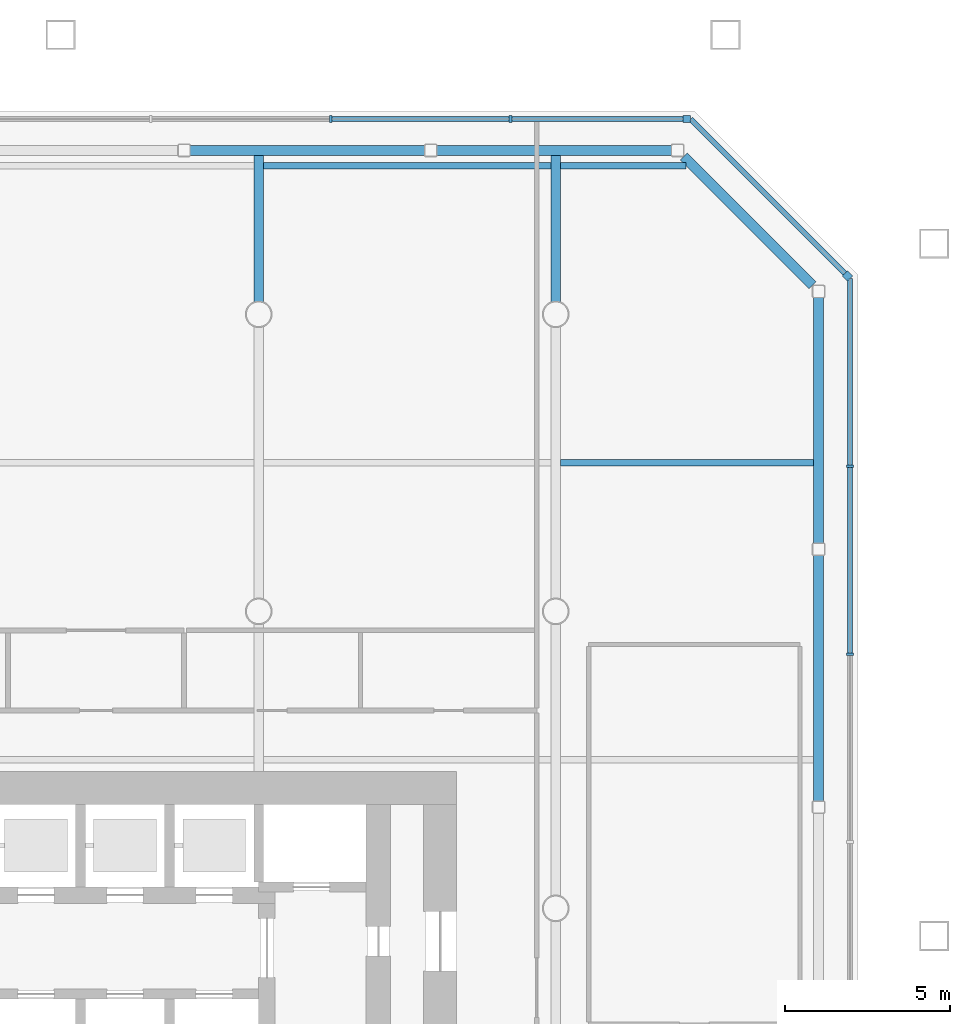
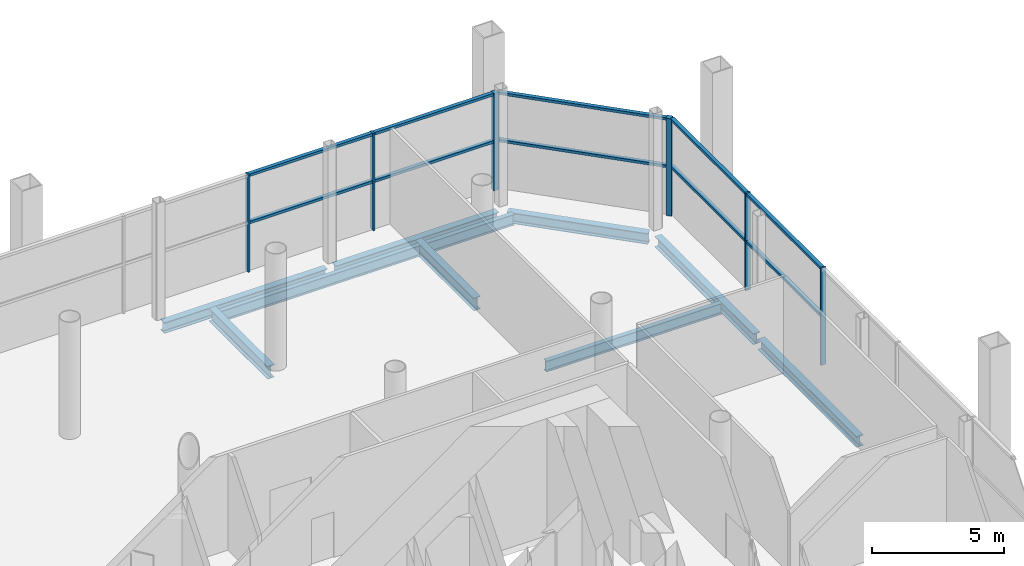
# One storey, part 6 of 13: 16 members, 10 beams, 3 elements without a shape of their own.
"""IFC4 building model written with IfcOpenShell, lengths in metres."""

from ifc_helpers import new_model, si_unit, direction, frame, origin, origin_2d, place, context, subcontext, project, spatial, rectangle, i_section, extrude, material, material_profile, profile_set, type_object, element, aggregate, save


model = new_model("IFC4")

# Units and contexts
model_context = context("Model", 3, precision=1e-05, world=origin(), true_north=direction((0.0, 1.0)))
body_context = subcontext(model_context, "Body", "Model", "MODEL_VIEW")
ifc_project = project(units=[si_unit("LENGTHUNIT", "METRE"), si_unit("AREAUNIT", "SQUARE_METRE"), si_unit("VOLUMEUNIT", "CUBIC_METRE"), si_unit("PLANEANGLEUNIT", "RADIAN"), si_unit("MASSUNIT", "GRAM", prefix="KILO")], contexts=[model_context])

# Site, building, storey
site_placement = place(None, origin())
site = spatial("IfcSite", under=ifc_project, at=site_placement, CompositionType="ELEMENT")
building_placement = place(site_placement, origin())
building = spatial("IfcBuilding", under=site, at=building_placement, Name="Tskaro Facet Tower", CompositionType="ELEMENT")
storey_placement = place(building_placement, frame((0.0, 0.0, 108.89990234375)))
storey = spatial("IfcBuildingStorey", under=building, at=storey_placement, Name="L26", CompositionType="ELEMENT", Elevation=108.89990234375)

# Curtain wall, member
ifc_material_1 = material(Name="Bronze anodised aluminium 6063-T6", Category="aluminium")
curtain_wall_type = type_object("IfcCurtainWallType", Name="Bronze sky lobby curtain wall (FW4)", PredefinedType="NOTDEFINED", material=ifc_material_1)
curtain_wall_1_placement = place(storey_placement, origin())
curtain_wall_1 = element("IfcCurtainWall", 1, at=curtain_wall_1_placement, inside=storey, type_object=curtain_wall_type, Name="FW4 north-east facet L26", PredefinedType="NOTDEFINED")
ifc_material_profile_1 = material_profile(ifc_material_1, rectangle(XDim=0.219970703125, YDim=0.219970703125, at=origin_2d()), Name="Corner post 220x220")
ifc_profile_set_1 = profile_set([ifc_material_profile_1], Name="Bronze anodised aluminium 6063-T6")
member_type_1 = type_object("IfcMemberType", Name="FW4 bronze corner post 220x220", PredefinedType="MULLION", material=ifc_profile_set_1)
member_1_placement = place(storey_placement, frame((26.837158203125, 19.160888671875, 0.0), z_axis=(0.0, 0.0, 1.0), x_axis=(-0.707106781187, 0.707106781187, 0.0)))
member_1 = element("IfcMember", 2, at=member_1_placement, type_object=member_type_1, Name="FW4 north-east corner post", PredefinedType="MULLION", context=body_context, shape_type="SweptSolid", body=[
    extrude(rectangle(XDim=0.219970703125, YDim=0.219970703125, at=origin_2d()), origin(), (0.0, 0.0, 1.0), 4.489990234375),
])

curtain_wall_2_placement = place(storey_placement, origin())
curtain_wall_2 = element("IfcCurtainWall", 3, at=curtain_wall_2_placement, inside=storey, type_object=curtain_wall_type, Name="FW4 north facet L26", PredefinedType="NOTDEFINED")
member_2_placement = place(storey_placement, frame((21.972900390625, 23.9150390625, 0.0), z_axis=(0.0, 0.0, 1.0), x_axis=(-1.0, 0.0, 0.0)))
member_2 = element("IfcMember", 4, at=member_2_placement, type_object=member_type_1, Name="FW4 north corner post", PredefinedType="MULLION", context=body_context, shape_type="SweptSolid", body=[
    extrude(rectangle(XDim=0.219970703125, YDim=0.219970703125, at=origin_2d()), origin(), (0.0, 0.0, 1.0), 4.489990234375),
])

# Curtain wall, members
curtain_wall_3_placement = place(storey_placement, origin())
curtain_wall_3 = element("IfcCurtainWall", 5, at=curtain_wall_3_placement, inside=storey, type_object=curtain_wall_type, Name="FW4 east facet L26", PredefinedType="NOTDEFINED")
ifc_material_profile_2 = material_profile(ifc_material_1, rectangle(XDim=0.080078125, YDim=0.219970703125, at=origin_2d()), Name="Mullion 80x220")
ifc_profile_set_2 = profile_set([ifc_material_profile_2], Name="Bronze anodised aluminium 6063-T6")
member_type_2 = type_object("IfcMemberType", Name="FW4 bronze mullion 80x220", PredefinedType="MULLION", material=ifc_profile_set_2)
member_3_placement = place(storey_placement, frame((26.9150390625, 7.7001953125, 0.0), z_axis=(0.0, 0.0, 1.0), x_axis=(0.0, 1.0, 0.0)))
member_3 = element("IfcMember", 6, at=member_3_placement, type_object=member_type_2, Name="FW4 east mullion 5", PredefinedType="MULLION", context=body_context, shape_type="SweptSolid", body=[
    extrude(rectangle(XDim=0.080078125, YDim=0.219970703125, at=origin_2d()), origin(), (0.0, 0.0, 1.0), 4.489990234375),
])
member_4_placement = place(storey_placement, frame((26.9150390625, 13.3916015625, 0.0), z_axis=(0.0, 0.0, 1.0), x_axis=(0.0, 1.0, 0.0)))
member_4 = element("IfcMember", 7, at=member_4_placement, type_object=member_type_2, Name="FW4 east mullion 6", PredefinedType="MULLION", context=body_context, shape_type="SweptSolid", body=[
    extrude(rectangle(XDim=0.080078125, YDim=0.219970703125, at=origin_2d()), origin(), (0.0, 0.0, 1.0), 4.489990234375),
])

# Member
member_5_placement = place(storey_placement, frame((16.630615234375, 23.9150390625, 0.0), z_axis=(0.0, 0.0, 1.0), x_axis=(-1.0, 0.0, 0.0)))
member_5 = element("IfcMember", 8, at=member_5_placement, type_object=member_type_2, Name="FW4 north mullion 1", PredefinedType="MULLION", context=body_context, shape_type="SweptSolid", body=[
    extrude(rectangle(XDim=0.080078125, YDim=0.219970703125, at=origin_2d()), origin(), (0.0, 0.0, 1.0), 4.489990234375),
])

member_6_placement = place(storey_placement, frame((11.178466796875, 23.9150390625, 0.0), z_axis=(0.0, 0.0, 1.0), x_axis=(-1.0, 0.0, 0.0)))
member_6 = element("IfcMember", 9, at=member_6_placement, type_object=member_type_2, Name="FW4 north mullion 2", PredefinedType="MULLION", context=body_context, shape_type="SweptSolid", body=[
    extrude(rectangle(XDim=0.080078125, YDim=0.219970703125, at=origin_2d()), origin(), (0.0, 0.0, 1.0), 4.489990234375),
])

ifc_material_profile_3 = material_profile(ifc_material_1, rectangle(XDim=0.159912109375, YDim=0.1201171875, at=origin_2d()), Name="Transom 160x120")
ifc_profile_set_3 = profile_set([ifc_material_profile_3], Name="Bronze anodised aluminium 6063-T6")
member_type_3 = type_object("IfcMemberType", Name="FW4 bronze transom 160x120", PredefinedType="USERDEFINED", material=ifc_profile_set_3)
member_7_placement = place(storey_placement, frame((26.9150390625, 7.740234375, 2.2451171875), z_axis=(0.0, 1.0, 0.0), x_axis=(-1.0, 0.0, 0.0)))
member_7 = element("IfcMember", 10, at=member_7_placement, type_object=member_type_3, Name="FW4 east transom 6.1", ObjectType="TRANSOM", PredefinedType="USERDEFINED", context=body_context, shape_type="SweptSolid", body=[
    extrude(rectangle(XDim=0.159912109375, YDim=0.1201171875, at=origin_2d()), origin(), (0.0, 0.0, 1.0), 5.611328125),
])

member_8_placement = place(storey_placement, frame((26.9150390625, 7.740234375, 4.43017578125), z_axis=(0.0, 1.0, 0.0), x_axis=(-1.0, 0.0, 0.0)))
member_8 = element("IfcMember", 11, at=member_8_placement, type_object=member_type_3, Name="FW4 east transom 6.2", ObjectType="TRANSOM", PredefinedType="USERDEFINED", context=body_context, shape_type="SweptSolid", body=[
    extrude(rectangle(XDim=0.159912109375, YDim=0.1201171875, at=origin_2d()), origin(), (0.0, 0.0, 1.0), 5.611328125),
])

member_9_placement = place(storey_placement, frame((26.9150390625, 13.431640625, 2.2451171875), z_axis=(0.0, 1.0, 0.0), x_axis=(-1.0, 0.0, 0.0)))
member_9 = element("IfcMember", 12, at=member_9_placement, type_object=member_type_3, Name="FW4 east transom 7.1", ObjectType="TRANSOM", PredefinedType="USERDEFINED", context=body_context, shape_type="SweptSolid", body=[
    extrude(rectangle(XDim=0.159912109375, YDim=0.1201171875, at=origin_2d()), origin(), (0.0, 0.0, 1.0), 5.6513671875),
])

member_10_placement = place(storey_placement, frame((26.9150390625, 13.431640625, 4.43017578125), z_axis=(0.0, 1.0, 0.0), x_axis=(-1.0, 0.0, 0.0)))
member_10 = element("IfcMember", 13, at=member_10_placement, type_object=member_type_3, Name="FW4 east transom 7.2", ObjectType="TRANSOM", PredefinedType="USERDEFINED", context=body_context, shape_type="SweptSolid", body=[
    extrude(rectangle(XDim=0.159912109375, YDim=0.1201171875, at=origin_2d()), origin(), (0.0, 0.0, 1.0), 5.6513671875),
])

aggregate(curtain_wall_3, [member_3, member_4, member_7, member_8, member_9, member_10])

member_11_placement = place(storey_placement, frame((26.759521484375, 19.238525390625, 2.2451171875), z_axis=(-0.707106781187, 0.707106781187, 0.0), x_axis=(-0.707106781187, -0.707106781187, 0.0)))
member_11 = element("IfcMember", 14, at=member_11_placement, type_object=member_type_3, Name="FW4 north-east transom 1.1", ObjectType="TRANSOM", PredefinedType="USERDEFINED", context=body_context, shape_type="SweptSolid", body=[
    extrude(rectangle(XDim=0.159912109375, YDim=0.1201171875, at=origin_2d()), origin(), (0.0, 0.0, 1.0), 6.613525390625),
])

member_12_placement = place(storey_placement, frame((26.759521484375, 19.238525390625, 4.43017578125), z_axis=(-0.707106781187, 0.707106781187, 0.0), x_axis=(-0.707106781187, -0.707106781187, 0.0)))
member_12 = element("IfcMember", 15, at=member_12_placement, type_object=member_type_3, Name="FW4 north-east transom 1.2", ObjectType="TRANSOM", PredefinedType="USERDEFINED", context=body_context, shape_type="SweptSolid", body=[
    extrude(rectangle(XDim=0.159912109375, YDim=0.1201171875, at=origin_2d()), origin(), (0.0, 0.0, 1.0), 6.613525390625),
])

aggregate(curtain_wall_1, [member_1, member_11, member_12])

member_13_placement = place(storey_placement, frame((21.863037109375, 23.9150390625, 2.2451171875), z_axis=(-1.0, 0.0, 0.0), x_axis=(0.0, -1.0, 0.0)))
member_13 = element("IfcMember", 16, at=member_13_placement, type_object=member_type_3, Name="FW4 north transom 1.1", ObjectType="TRANSOM", PredefinedType="USERDEFINED", context=body_context, shape_type="SweptSolid", body=[
    extrude(rectangle(XDim=0.159912109375, YDim=0.1201171875, at=origin_2d()), origin(), (0.0, 0.0, 1.0), 5.1923828125),
])

member_14_placement = place(storey_placement, frame((21.863037109375, 23.9150390625, 4.43017578125), z_axis=(-1.0, 0.0, 0.0), x_axis=(0.0, -1.0, 0.0)))
member_14 = element("IfcMember", 17, at=member_14_placement, type_object=member_type_3, Name="FW4 north transom 1.2", ObjectType="TRANSOM", PredefinedType="USERDEFINED", context=body_context, shape_type="SweptSolid", body=[
    extrude(rectangle(XDim=0.159912109375, YDim=0.1201171875, at=origin_2d()), origin(), (0.0, 0.0, 1.0), 5.1923828125),
])

member_15_placement = place(storey_placement, frame((16.5908203125, 23.9150390625, 2.2451171875), z_axis=(-1.0, 0.0, 0.0), x_axis=(0.0, -1.0, 0.0)))
member_15 = element("IfcMember", 18, at=member_15_placement, type_object=member_type_3, Name="FW4 north transom 2.1", ObjectType="TRANSOM", PredefinedType="USERDEFINED", context=body_context, shape_type="SweptSolid", body=[
    extrude(rectangle(XDim=0.159912109375, YDim=0.1201171875, at=origin_2d()), origin(), (0.0, 0.0, 1.0), 5.372314453125),
])

member_16_placement = place(storey_placement, frame((16.5908203125, 23.9150390625, 4.43017578125), z_axis=(-1.0, 0.0, 0.0), x_axis=(0.0, -1.0, 0.0)))
member_16 = element("IfcMember", 19, at=member_16_placement, type_object=member_type_3, Name="FW4 north transom 2.2", ObjectType="TRANSOM", PredefinedType="USERDEFINED", context=body_context, shape_type="SweptSolid", body=[
    extrude(rectangle(XDim=0.159912109375, YDim=0.1201171875, at=origin_2d()), origin(), (0.0, 0.0, 1.0), 5.372314453125),
])

aggregate(curtain_wall_2, [member_2, member_5, member_6, member_13, member_14, member_15, member_16])

# Beams
ifc_material_2 = material(Name="Steel S355J2", Category="steel")
ifc_material_profile_4 = material_profile(ifc_material_2, i_section(OverallWidth=0.300048828125, OverallDepth=0.5, WebThickness=0.014404296875, FlangeThickness=0.028076171875, FilletRadius=0.027099609375, at=origin_2d()), Name="HE 500 B")
ifc_profile_set_4 = profile_set([ifc_material_profile_4], Name="Steel S355J2")
beam_type_1 = type_object("IfcBeamType", Name="HE 500 B ring beam", PredefinedType="BEAM", material=ifc_profile_set_4)
for number, where, z_axis, x_axis, name in (
    (20, (25.965087890625, 3.248046875, -0.5), (0.0, 1.0, 0.0), (-1.0, 0.0, 0.0), "HE 500 B EB10-2"),
    (21, (25.965087890625, 11.05908203125, -0.5), (0.0, 1.0, 0.0), (-1.0, 0.0, 0.0), "HE 500 B EB11-2"),
):
    element("IfcBeam", number, at=place(storey_placement, frame(where, z_axis=z_axis, x_axis=x_axis)), inside=storey, type_object=beam_type_1, Name=name, PredefinedType="BEAM", context=body_context, shape_type="SweptSolid", body=[
        extrude(i_section(OverallWidth=0.300048828125, OverallDepth=0.5, WebThickness=0.014404296875, FlangeThickness=0.028076171875, FilletRadius=0.027099609375, at=origin_2d()), origin(), (0.0, 0.0, 1.0), 7.450927734375),
    ])
beam_1_placement = place(storey_placement, frame((25.779052734375, 18.8759765625, -0.5), z_axis=(-0.707106781187, 0.707106781187, 0.0), x_axis=(-0.707106781187, -0.707106781187, 0.0)))
element("IfcBeam", 22, at=beam_1_placement, inside=storey, type_object=beam_type_1, Name="HE 500 B EB12-2", PredefinedType="BEAM", context=body_context, shape_type="SweptSolid", body=[
    extrude(i_section(OverallWidth=0.300048828125, OverallDepth=0.5, WebThickness=0.014404296875, FlangeThickness=0.028076171875, FilletRadius=0.027099609375, at=origin_2d()), origin(), (0.0, 0.0, 1.0), 5.519775390625),
])
for number, where, z_axis, x_axis, name in (
    (23, (21.510009765625, 22.965087890625, -0.5), (-1.0, 0.0, 0.0), (0.0, -1.0, 0.0), "HE 500 B EB13-2"),
    (24, (14.033935546875, 22.965087890625, -0.5), (-1.0, 0.0, 0.0), (0.0, -1.0, 0.0), "HE 500 B EB14-2"),
):
    element("IfcBeam", number, at=place(storey_placement, frame(where, z_axis=z_axis, x_axis=x_axis)), inside=storey, type_object=beam_type_1, Name=name, PredefinedType="BEAM", context=body_context, shape_type="SweptSolid", body=[
        extrude(i_section(OverallWidth=0.300048828125, OverallDepth=0.5, WebThickness=0.014404296875, FlangeThickness=0.028076171875, FilletRadius=0.027099609375, at=origin_2d()), origin(), (0.0, 0.0, 1.0), 7.115966796875),
    ])
ifc_material_profile_5 = material_profile(ifc_material_2, i_section(OverallWidth=0.300048828125, OverallDepth=0.590087890625, WebThickness=0.012939453125, FlangeThickness=0.02490234375, FilletRadius=0.027099609375, at=origin_2d()), Name="HE 600 A")
ifc_profile_set_5 = profile_set([ifc_material_profile_5], Name="Steel S355J2")
beam_type_2 = type_object("IfcBeamType", Name="HE 600 A girder", PredefinedType="BEAM", material=ifc_profile_set_5)
for number, where, z_axis, x_axis, name in (
    (25, (9.0, 18.37646484375, -0.544921875), (0.0, 1.0, 0.0), (-1.0, 0.0, 0.0), "HE 600 A GB5-5-2"),
    (26, (18.0, 18.37646484375, -0.544921875), (0.0, 1.0, 0.0), (-1.0, 0.0, 0.0), "HE 600 A GB6-6-2"),
):
    element("IfcBeam", number, at=place(storey_placement, frame(where, z_axis=z_axis, x_axis=x_axis)), inside=storey, type_object=beam_type_2, Name=name, PredefinedType="BEAM", context=body_context, shape_type="SweptSolid", body=[
        extrude(i_section(OverallWidth=0.300048828125, OverallDepth=0.590087890625, WebThickness=0.012939453125, FlangeThickness=0.02490234375, FilletRadius=0.027099609375, at=origin_2d()), origin(), (0.0, 0.0, 1.0), 4.4384765625),
    ])
ifc_material_profile_6 = material_profile(ifc_material_2, i_section(OverallWidth=0.199951171875, OverallDepth=0.5, WebThickness=0.01025390625, FlangeThickness=0.01611328125, FilletRadius=0.02099609375, at=origin_2d()), Name="IPE 500")
ifc_profile_set_6 = profile_set([ifc_material_profile_6], Name="Steel S355J2")
beam_type_3 = type_object("IfcBeamType", Name="IPE 500 secondary beam", PredefinedType="BEAM", material=ifc_profile_set_6)
beam_2_placement = place(storey_placement, frame((18.14990234375, 13.5, -0.5), z_axis=(1.0, 0.0, 0.0), x_axis=(0.0, 1.0, 0.0)))
element("IfcBeam", 27, at=beam_2_placement, inside=storey, type_object=beam_type_3, Name="IPE 500 SB5a-5-2", PredefinedType="BEAM", context=body_context, shape_type="SweptSolid", body=[
    extrude(i_section(OverallWidth=0.199951171875, OverallDepth=0.5, WebThickness=0.01025390625, FlangeThickness=0.01611328125, FilletRadius=0.02099609375, at=origin_2d()), origin(), (0.0, 0.0, 1.0), 7.6650390625),
])
beam_3_placement = place(storey_placement, frame((9.14990234375, 22.5, -0.5), z_axis=(1.0, 0.0, 0.0), x_axis=(0.0, 1.0, 0.0)))
element("IfcBeam", 28, at=beam_3_placement, inside=storey, type_object=beam_type_3, Name="IPE 500 SB6a-4-2", PredefinedType="BEAM", context=body_context, shape_type="SweptSolid", body=[
    extrude(i_section(OverallWidth=0.199951171875, OverallDepth=0.5, WebThickness=0.01025390625, FlangeThickness=0.01611328125, FilletRadius=0.02099609375, at=origin_2d()), origin(), (0.0, 0.0, 1.0), 8.7001953125),
])
beam_4_placement = place(storey_placement, frame((18.14990234375, 22.5, -0.5), z_axis=(1.0, 0.0, 0.0), x_axis=(0.0, 1.0, 0.0)))
element("IfcBeam", 29, at=beam_4_placement, inside=storey, type_object=beam_type_3, Name="IPE 500 SB6a-5-2", PredefinedType="BEAM", context=body_context, shape_type="SweptSolid", body=[
    extrude(i_section(OverallWidth=0.199951171875, OverallDepth=0.5, WebThickness=0.01025390625, FlangeThickness=0.01611328125, FilletRadius=0.02099609375, at=origin_2d()), origin(), (0.0, 0.0, 1.0), 3.793212890625),
])

save(model, "model.ifc")
